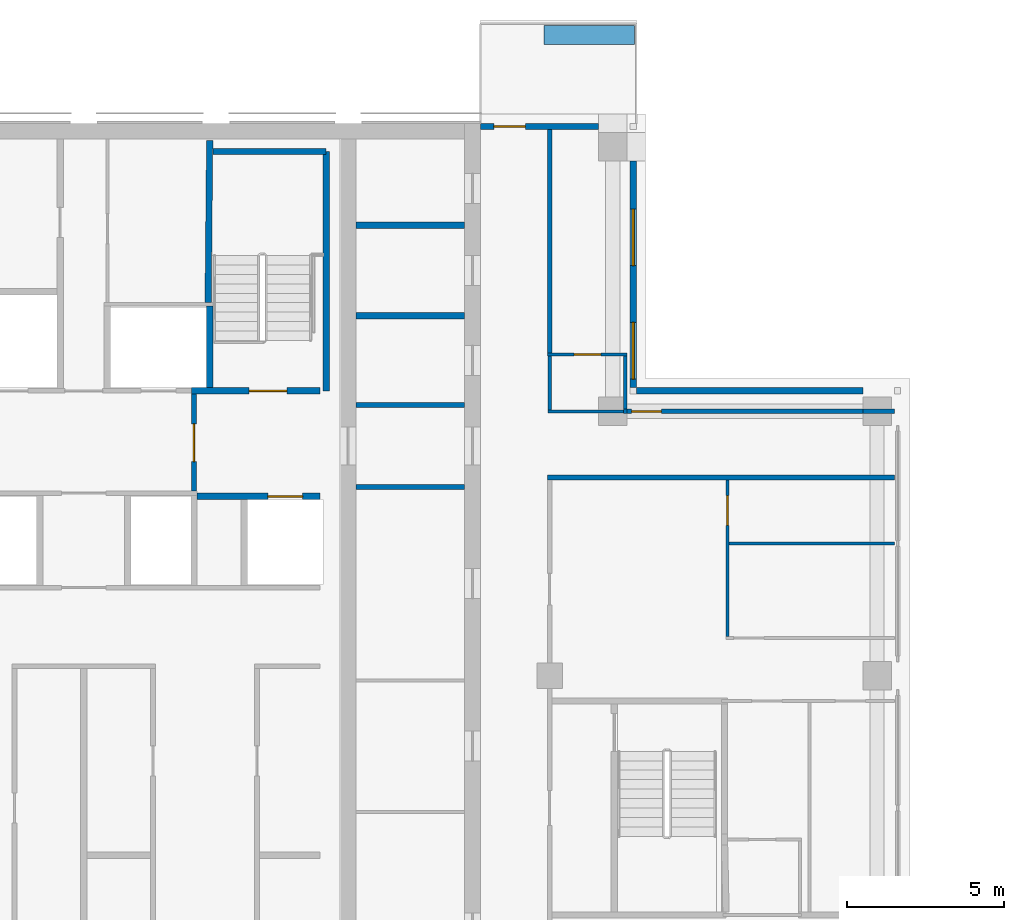
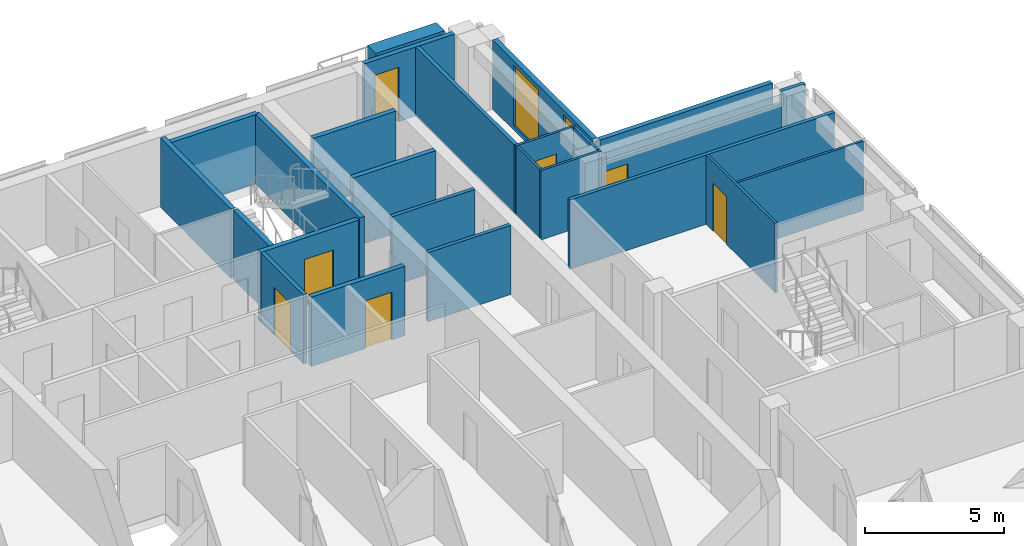
# One storey, part 15 of 19: 26 walls, 7 doors, 2 windows, 9 openings.
"""IFC4 building model written with IfcOpenShell, lengths in metres."""

from ifc_helpers import new_model, si_unit, direction, frame, frame_2d, origin, place, context, subcontext, project, spatial, rectangle, extrude, material, layer, layer_set, type_object, element, fill, save


model = new_model("IFC4")

# Units and contexts
model_context = context("Model", 3, precision=1e-05, world=origin(), true_north=direction((0.0, 1.0)))
body_context = subcontext(model_context, "Body", "Model", "MODEL_VIEW")
ifc_project = project(units=[si_unit("LENGTHUNIT", "METRE"), si_unit("AREAUNIT", "SQUARE_METRE"), si_unit("VOLUMEUNIT", "CUBIC_METRE"), si_unit("PLANEANGLEUNIT", "RADIAN"), si_unit("MASSUNIT", "GRAM", prefix="KILO")], contexts=[model_context])

# Site, building, storey
site_placement = place(None, origin())
site = spatial("IfcSite", under=ifc_project, at=site_placement, CompositionType="ELEMENT")
building_placement = place(site_placement, origin())
building = spatial("IfcBuilding", under=site, at=building_placement, Name="Vermilion Ogive Tower", CompositionType="ELEMENT")
storey_placement = place(building_placement, frame((0.0, 0.0, 226.89990234375)))
storey = spatial("IfcBuildingStorey", under=building, at=storey_placement, Name="L59", CompositionType="ELEMENT", Elevation=226.89990234375)

# Wall
ifc_material_1 = material(Name="Gypsum board partition on steel studs", Category="steel")
ifc_layer_1 = layer(ifc_material_1, 0.10009765625)
ifc_layer_set_1 = layer_set([ifc_layer_1], Name="Partition 100 bath")
wall_type_1 = type_object("IfcWallType", Name="Partition 100 bath", PredefinedType="PARTITIONING", material=ifc_layer_set_1)
wall_1_placement = place(storey_placement, frame((14.75, 12.60009765625, 0.0), z_axis=(0.0, 0.0, 1.0), x_axis=(1.0, 0.0, 0.0)))
element("IfcWall", 1, at=wall_1_placement, inside=storey, type_object=wall_type_1, Name="L59-W-W035", PredefinedType="PARTITIONING", context=body_context, shape_type="SweptSolid", body=[
    extrude(rectangle(XDim=2.5, YDim=0.10009765625, at=frame_2d((1.25, 0.0))), origin(), (0.0, 0.0, 1.0), 3.050048828125),
])

# Wall, opening, door
wall_2_placement = place(storey_placement, frame((14.72509765625, 14.39990234375, 0.0), z_axis=(0.0, 0.0, 1.0), x_axis=(1.0, 0.0, 0.0)))
wall_2 = element("IfcWall", 2, at=wall_2_placement, inside=storey, type_object=wall_type_1, Name="L59-W-W038", PredefinedType="PARTITIONING", context=body_context, shape_type="SweptSolid", body=[
    extrude(rectangle(XDim=2.52490234375, YDim=0.10009765625, at=frame_2d((1.262451171875, 0.0))), origin(), (0.0, 0.0, 1.0), 3.050048828125),
])
opening_1_placement = place(wall_2_placement, frame((0.849853515625, 0.0, 0.0)))
opening_1 = element("IfcOpeningElement", 3, at=opening_1_placement, cuts=wall_2, Name="Opening D5G1022", PredefinedType="OPENING", context=body_context, shape_type="SweptSolid", body=[
    extrude(rectangle(XDim=0.85009765625, YDim=2.10009765625, at=frame_2d((0.425048828125, 1.050048828125))), frame((0.0, 0.06005859375, 0.0), z_axis=(0.0, -1.0, 0.0), x_axis=(1.0, 0.0, 0.0)), (0.0, 0.0, 1.0), 0.1201171875),
])
ifc_material_2 = material(Name="Timber door leaf", Category="wood")
door_type_1 = type_object("IfcDoorType", Name="Bath door 850 x 2100 FD30", OperationType="SINGLE_SWING_LEFT", PredefinedType="DOOR", material=ifc_material_2)
door_1_placement = place(opening_1_placement, origin())
door_1 = element("IfcDoor", 4, at=door_1_placement, inside=storey, type_object=door_type_1, Name="L59-D-D022", OperationType="SINGLE_SWING_RIGHT", OverallHeight=2.10009765625, OverallWidth=0.85009765625, PredefinedType="DOOR", context=body_context, shape_type="SweptSolid", body=[
    extrude(rectangle(XDim=0.85009765625, YDim=2.10009765625, at=frame_2d((0.425048828125, 1.050048828125))), frame((0.0, 0.02490234375, 0.0), z_axis=(0.0, -1.0, 0.0), x_axis=(1.0, 0.0, 0.0)), (0.0, 0.0, 1.0), 0.050048828125),
])
fill(opening_1, door_1)

# Walls
wall_3_placement = place(storey_placement, frame((14.800048828125, 12.64990234375, 0.0), z_axis=(0.0, 0.0, 1.0), x_axis=(0.0, 1.0, 0.0)))
element("IfcWall", 5, at=wall_3_placement, inside=storey, type_object=wall_type_1, Name="L59-W-W058", PredefinedType="PARTITIONING", context=body_context, shape_type="SweptSolid", body=[
    extrude(rectangle(XDim=1.7001953125, YDim=0.10009765625, at=frame_2d((0.85009765625, 0.0))), origin(), (0.0, 0.0, 1.0), 3.050048828125),
])
wall_4_placement = place(storey_placement, frame((17.199951171875, 12.675048828125, 0.0), z_axis=(0.0, 0.0, 1.0), x_axis=(0.0, 1.0, 0.0)))
element("IfcWall", 6, at=wall_4_placement, inside=storey, type_object=wall_type_1, Name="L59-W-W062", PredefinedType="PARTITIONING", context=body_context, shape_type="SweptSolid", body=[
    extrude(rectangle(XDim=1.675048828125, YDim=0.10009765625, at=frame_2d((0.83740234375, 0.0))), origin(), (0.0, 0.0, 1.0), 3.050048828125),
])
ifc_material_3 = material(Name="Gypsum board partition on steel studs", Category="steel")
ifc_layer_2 = layer(ifc_material_3, 0.10009765625)
ifc_layer_set_2 = layer_set([ifc_layer_2], Name="Partition 100 inner")
wall_type_2 = type_object("IfcWallType", Name="Partition 100 inner", PredefinedType="PARTITIONING", material=ifc_layer_set_2)
wall_5_placement = place(storey_placement, frame((20.5, 8.39990234375, 0.0), z_axis=(0.0, 0.0, 1.0), x_axis=(1.0, 0.0, 0.0)))
element("IfcWall", 7, at=wall_5_placement, inside=storey, type_object=wall_type_2, Name="L59-W-W030", PredefinedType="PARTITIONING", context=body_context, shape_type="SweptSolid", body=[
    extrude(rectangle(XDim=5.25, YDim=0.10009765625, at=frame_2d((2.625, 0.0))), origin(), (0.0, 0.0, 1.0), 3.050048828125),
])

# Wall, opening, door
wall_6_placement = place(storey_placement, frame((20.449951171875, 5.449951171875, 0.0), z_axis=(0.0, 0.0, 1.0), x_axis=(0.0, 1.0, 0.0)))
wall_6 = element("IfcWall", 8, at=wall_6_placement, inside=storey, type_object=wall_type_2, Name="L59-W-W065", PredefinedType="PARTITIONING", context=body_context, shape_type="SweptSolid", body=[
    extrude(rectangle(XDim=4.97509765625, YDim=0.10009765625, at=frame_2d((2.487548828125, 0.0))), origin(), (0.0, 0.0, 1.0), 3.050048828125),
])
opening_2_placement = place(wall_6_placement, frame((3.525146484375, 0.0, 0.0)))
opening_2 = element("IfcOpeningElement", 9, at=opening_2_placement, cuts=wall_6, Name="Opening D5G1017", PredefinedType="OPENING", context=body_context, shape_type="SweptSolid", body=[
    extrude(rectangle(XDim=0.949951171875, YDim=2.10009765625, at=frame_2d((0.47509765625, 1.050048828125))), frame((0.0, 0.06005859375, 0.0), z_axis=(0.0, -1.0, 0.0), x_axis=(1.0, 0.0, 0.0)), (0.0, 0.0, 1.0), 0.1201171875),
])
ifc_material_4 = material(Name="Timber door leaf", Category="wood")
door_type_2 = type_object("IfcDoorType", Name="Inner door 950 x 2100 FD30", OperationType="SINGLE_SWING_LEFT", PredefinedType="DOOR", material=ifc_material_4)
door_2_placement = place(opening_2_placement, origin())
door_2 = element("IfcDoor", 10, at=door_2_placement, inside=storey, type_object=door_type_2, Name="L59-D-D017", OperationType="SINGLE_SWING_RIGHT", OverallHeight=2.10009765625, OverallWidth=0.949951171875, PredefinedType="DOOR", context=body_context, shape_type="SweptSolid", body=[
    extrude(rectangle(XDim=0.949951171875, YDim=2.10009765625, at=frame_2d((0.47509765625, 1.050048828125))), frame((0.0, 0.02490234375, 0.0), z_axis=(0.0, -1.0, 0.0), x_axis=(1.0, 0.0, 0.0)), (0.0, 0.0, 1.0), 0.050048828125),
])
fill(opening_2, door_2)

# Walls
ifc_material_5 = material(Name="Gypsum board partition on steel studs", Category="steel")
ifc_layer_3 = layer(ifc_material_5, 0.14990234375)
ifc_layer_set_3 = layer_set([ifc_layer_3], Name="Partition 150 corridor")
wall_type_3 = type_object("IfcWallType", Name="Partition 150 corridor", PredefinedType="PARTITIONING", material=ifc_layer_set_3)
wall_7_placement = place(storey_placement, frame((14.72509765625, 10.5, 0.0), z_axis=(0.0, 0.0, 1.0), x_axis=(1.0, 0.0, 0.0)))
element("IfcWall", 11, at=wall_7_placement, inside=storey, type_object=wall_type_3, Name="L59-W-W032", PredefinedType="PARTITIONING", context=body_context, shape_type="SweptSolid", body=[
    extrude(rectangle(XDim=11.02490234375, YDim=0.14990234375, at=frame_2d((5.512451171875, 0.0))), origin(), (0.0, 0.0, 1.0), 3.050048828125),
])
wall_8_placement = place(storey_placement, frame((17.14990234375, 12.60009765625, 0.0), z_axis=(0.0, 0.0, 1.0), x_axis=(1.0, 0.0, 0.0)))
element("IfcWall", 12, at=wall_8_placement, inside=storey, type_object=wall_type_3, Name="L59-W-W036", PredefinedType="PARTITIONING", context=body_context, shape_type="SweptSolid", body=[
    extrude(rectangle(XDim=0.10009765625, YDim=0.14990234375, at=frame_2d((0.050048828125, 0.0))), origin(), (0.0, 0.0, 1.0), 3.050048828125),
])
wall_9_placement = place(storey_placement, frame((14.800048828125, 14.449951171875, 0.0), z_axis=(0.0, 0.0, 1.0), x_axis=(0.0, 1.0, 0.0)))
element("IfcWall", 13, at=wall_9_placement, inside=storey, type_object=wall_type_3, Name="L59-W-W059", PredefinedType="PARTITIONING", context=body_context, shape_type="SweptSolid", body=[
    extrude(rectangle(XDim=7.10009765625, YDim=0.14990234375, at=frame_2d((3.550048828125, 0.0))), origin(), (0.0, 0.0, 1.0), 3.050048828125),
])

# Wall, opening, door
wall_10_placement = place(storey_placement, frame((3.5, 10.074951171875, 0.0), z_axis=(0.0, 0.0, 1.0), x_axis=(0.0, 1.0, 0.0)))
wall_10 = element("IfcWall", 14, at=wall_10_placement, inside=storey, type_object=wall_type_3, Name="L59-CK-W-W033", PredefinedType="PARTITIONING", context=body_context, shape_type="SweptSolid", body=[
    extrude(rectangle(XDim=3.074951171875, YDim=0.14990234375, at=frame_2d((1.53759765625, 0.0))), origin(), (0.0, 0.0, 1.0), 3.050048828125),
])
opening_3_placement = place(wall_10_placement, frame((0.925048828125, 0.0, 0.0)))
opening_3 = element("IfcOpeningElement", 15, at=opening_3_placement, cuts=wall_10, Name="Opening DAA539", PredefinedType="OPENING", context=body_context, shape_type="SweptSolid", body=[
    extrude(rectangle(XDim=1.199951171875, YDim=2.10009765625, at=frame_2d((0.60009765625, 1.050048828125))), frame((0.0, 0.0849609375, 0.0), z_axis=(0.0, -1.0, 0.0), x_axis=(1.0, 0.0, 0.0)), (0.0, 0.0, 1.0), 0.169921875),
])
ifc_material_6 = material(Name="Timber door leaf", Category="wood")
door_type_3 = type_object("IfcDoorType", Name="Lobby door 1200 x 2100 FD60S", OperationType="SINGLE_SWING_LEFT", PredefinedType="DOOR", material=ifc_material_6)
door_3_placement = place(opening_3_placement, origin())
door_3 = element("IfcDoor", 16, at=door_3_placement, inside=storey, type_object=door_type_3, Name="L59-CK-D-D023", OperationType="SINGLE_SWING_LEFT", OverallHeight=2.10009765625, OverallWidth=1.199951171875, PredefinedType="DOOR", context=body_context, shape_type="SweptSolid", body=[
    extrude(rectangle(XDim=1.199951171875, YDim=2.10009765625, at=frame_2d((0.60009765625, 1.050048828125))), frame((0.0, 0.02490234375, 0.0), z_axis=(0.0, -1.0, 0.0), x_axis=(1.0, 0.0, 0.0)), (0.0, 0.0, 1.0), 0.050048828125),
])
fill(opening_3, door_3)

# Walls
for number, where, z_axis, x_axis, name in (
    (17, (8.65087890625, 10.199951171875, 0.0), (0.0, 0.0, 1.0), (1.0, 0.0, 0.0), "L59-CKE-W-W003"),
    (18, (8.65087890625, 12.800048828125, 0.0), (0.0, 0.0, 1.0), (1.0, 0.0, 0.0), "L59-CKE-W-W004"),
):
    element("IfcWall", number, at=place(storey_placement, frame(where, z_axis=z_axis, x_axis=x_axis)), inside=storey, type_object=wall_type_3, Name=name, PredefinedType="PARTITIONING", context=body_context, shape_type="SweptSolid", body=[
        extrude(rectangle(XDim=3.4482421875, YDim=0.14990234375, at=frame_2d((1.72412109375, 0.0))), origin(), (0.0, 0.0, 1.0), 3.050048828125),
    ])

# Wall, opening, door
wall_11_placement = place(storey_placement, frame((17.25, 12.60009765625, 0.0), z_axis=(0.0, 0.0, 1.0), x_axis=(1.0, 0.0, 0.0)))
wall_11 = element("IfcWall", 19, at=wall_11_placement, inside=storey, type_object=wall_type_3, Name="L59-W-W036-h1", PredefinedType="PARTITIONING", context=body_context, shape_type="SweptSolid", body=[
    extrude(rectangle(XDim=7.5, YDim=0.14990234375, at=frame_2d((3.75, 0.0))), origin(), (0.0, 0.0, 1.0), 2.5),
])
opening_4_placement = place(wall_11_placement, frame((0.14990234375, 0.0, 0.0)))
opening_4 = element("IfcOpeningElement", 20, at=opening_4_placement, cuts=wall_11, Name="Opening D5G1021", PredefinedType="OPENING", context=body_context, shape_type="SweptSolid", body=[
    extrude(rectangle(XDim=0.949951171875, YDim=2.10009765625, at=frame_2d((0.47509765625, 1.050048828125))), frame((0.0, 0.0849609375, 0.0), z_axis=(0.0, -1.0, 0.0), x_axis=(1.0, 0.0, 0.0)), (0.0, 0.0, 1.0), 0.169921875),
])
ifc_material_7 = material(Name="Timber door leaf", Category="wood")
door_type_4 = type_object("IfcDoorType", Name="Unit door 950 x 2100 FD30S", OperationType="SINGLE_SWING_LEFT", PredefinedType="DOOR", material=ifc_material_7)
door_4_placement = place(opening_4_placement, origin())
door_4 = element("IfcDoor", 21, at=door_4_placement, inside=storey, type_object=door_type_4, Name="L59-D-D021", OperationType="SINGLE_SWING_LEFT", OverallHeight=2.10009765625, OverallWidth=0.949951171875, PredefinedType="DOOR", context=body_context, shape_type="SweptSolid", body=[
    extrude(rectangle(XDim=0.949951171875, YDim=2.10009765625, at=frame_2d((0.47509765625, 1.050048828125))), frame((0.0, 0.02490234375, 0.0), z_axis=(0.0, -1.0, 0.0), x_axis=(1.0, 0.0, 0.0)), (0.0, 0.0, 1.0), 0.050048828125),
])
fill(opening_4, door_4)

# Wall
wall_12_placement = place(storey_placement, frame((24.75, 12.60009765625, 0.0), z_axis=(0.0, 0.0, 1.0), x_axis=(1.0, 0.0, 0.0)))
element("IfcWall", 22, at=wall_12_placement, inside=storey, type_object=wall_type_3, Name="L59-W-W036-h2", PredefinedType="PARTITIONING", context=body_context, shape_type="SweptSolid", body=[
    extrude(rectangle(XDim=1.0, YDim=0.14990234375, at=frame_2d((0.5, 0.0))), origin(), (0.0, 0.0, 1.0), 3.050048828125),
])

# Wall, opening, door
ifc_material_8 = material(Name="Gypsum board partition on steel studs", Category="steel")
ifc_layer_4 = layer(ifc_material_8, 0.199951171875)
ifc_layer_set_4 = layer_set([ifc_layer_4], Name="Partition 200 party")
wall_type_4 = type_object("IfcWallType", Name="Partition 200 party", PredefinedType="PARTITIONING", material=ifc_layer_set_4)
wall_13_placement = place(storey_placement, frame((3.60009765625, 9.89990234375, 0.0), z_axis=(0.0, 0.0, 1.0), x_axis=(1.0, 0.0, 0.0)))
wall_13 = element("IfcWall", 23, at=wall_13_placement, inside=storey, type_object=wall_type_4, Name="L59-CK-W-W012", PredefinedType="PARTITIONING", context=body_context, shape_type="SweptSolid", body=[
    extrude(rectangle(XDim=3.89990234375, YDim=0.199951171875, at=frame_2d((1.949951171875, 0.0))), origin(), (0.0, 0.0, 1.0), 3.050048828125),
])
opening_5_placement = place(wall_13_placement, frame((2.25, 0.0, 0.0)))
opening_5 = element("IfcOpeningElement", 24, at=opening_5_placement, cuts=wall_13, Name="Opening DAA558", PredefinedType="OPENING", context=body_context, shape_type="SweptSolid", body=[
    extrude(rectangle(XDim=1.10009765625, YDim=2.10009765625, at=frame_2d((0.550048828125, 1.050048828125))), frame((0.0, 0.10986328125, 0.0), z_axis=(0.0, -1.0, 0.0), x_axis=(1.0, 0.0, 0.0)), (0.0, 0.0, 1.0), 0.219970703125),
])
ifc_material_9 = material(Name="Stainless steel", Category="steel")
door_type_5 = type_object("IfcDoorType", Name="Lift landing door 1100 x 2100", OperationType="SLIDING_TO_LEFT", PredefinedType="DOOR", material=ifc_material_9)
door_5_placement = place(opening_5_placement, origin())
door_5 = element("IfcDoor", 25, at=door_5_placement, inside=storey, type_object=door_type_5, Name="L59-CK-D-D014", OperationType="SLIDING_TO_LEFT", OverallHeight=2.10009765625, OverallWidth=1.10009765625, PredefinedType="DOOR", context=body_context, shape_type="SweptSolid", body=[
    extrude(rectangle(XDim=1.10009765625, YDim=2.10009765625, at=frame_2d((0.550048828125, 1.050048828125))), frame((0.0, 0.02490234375, 0.0), z_axis=(0.0, -1.0, 0.0), x_axis=(1.0, 0.0, 0.0)), (0.0, 0.0, 1.0), 0.050048828125),
])
fill(opening_5, door_5)

# Walls
for number, where, z_axis, x_axis, name in (
    (26, (8.65087890625, 15.636962890625, 0.0), (0.0, 0.0, 1.0), (1.0, 0.0, 0.0), "L59-CKE-W-W005"),
    (27, (8.65087890625, 18.509033203125, 0.0), (0.0, 0.0, 1.0), (1.0, 0.0, 0.0), "L59-CKE-W-W006"),
):
    element("IfcWall", number, at=place(storey_placement, frame(where, z_axis=z_axis, x_axis=x_axis)), inside=storey, type_object=wall_type_4, Name=name, PredefinedType="PARTITIONING", context=body_context, shape_type="SweptSolid", body=[
        extrude(rectangle(XDim=3.4482421875, YDim=0.199951171875, at=frame_2d((1.72412109375, 0.0))), origin(), (0.0, 0.0, 1.0), 3.050048828125),
    ])

# Wall, opening, door
ifc_material_10 = material(Name="Concrete B60", Category="concrete")
ifc_layer_5 = layer(ifc_material_10, 0.199951171875)
ifc_layer_set_5 = layer_set([ifc_layer_5], Name="Stair shaft wall 200 Concrete B60")
wall_type_5 = type_object("IfcWallType", Name="Stair shaft wall 200 Concrete B60", PredefinedType="SOLIDWALL", material=ifc_layer_set_5)
wall_14_placement = place(storey_placement, frame((3.425048828125, 13.25, 0.0), z_axis=(0.0, 0.0, 1.0), x_axis=(1.0, 0.0, 0.0)))
wall_14 = element("IfcWall", 28, at=wall_14_placement, inside=storey, type_object=wall_type_5, Name="L59-CK-W-W016", PredefinedType="SOLIDWALL", context=body_context, shape_type="SweptSolid", body=[
    extrude(rectangle(XDim=4.074951171875, YDim=0.199951171875, at=frame_2d((2.03759765625, 0.0))), origin(), (0.0, 0.0, 1.0), 3.050048828125),
])
opening_6_placement = place(wall_14_placement, frame((1.824951171875, 0.0, 0.0)))
opening_6 = element("IfcOpeningElement", 29, at=opening_6_placement, cuts=wall_14, Name="Opening DAA551", PredefinedType="OPENING", context=body_context, shape_type="SweptSolid", body=[
    extrude(rectangle(XDim=1.199951171875, YDim=2.10009765625, at=frame_2d((0.60009765625, 1.050048828125))), frame((0.0, 0.10986328125, 0.0), z_axis=(0.0, -1.0, 0.0), x_axis=(1.0, 0.0, 0.0)), (0.0, 0.0, 1.0), 0.219970703125),
])
ifc_material_11 = material(Name="Timber door leaf", Category="wood")
door_type_6 = type_object("IfcDoorType", Name="Stair door 1200 x 2100 FD60S", OperationType="SINGLE_SWING_LEFT", PredefinedType="DOOR", material=ifc_material_11)
door_6_placement = place(opening_6_placement, origin())
door_6 = element("IfcDoor", 30, at=door_6_placement, inside=storey, type_object=door_type_6, Name="L59-CK-D-D013", OperationType="SINGLE_SWING_RIGHT", OverallHeight=2.10009765625, OverallWidth=1.199951171875, PredefinedType="DOOR", context=body_context, shape_type="SweptSolid", body=[
    extrude(rectangle(XDim=1.199951171875, YDim=2.10009765625, at=frame_2d((0.60009765625, 1.050048828125))), frame((0.0, 0.02490234375, 0.0), z_axis=(0.0, -1.0, 0.0), x_axis=(1.0, 0.0, 0.0)), (0.0, 0.0, 1.0), 0.050048828125),
])
fill(opening_6, door_6)

# Walls
wall_15_placement = place(storey_placement, frame((4.0, 13.35009765625, 0.0), z_axis=(0.0, 0.0, 1.0), x_axis=(0.0, 1.0, 0.0)))
element("IfcWall", 31, at=wall_15_placement, inside=storey, type_object=wall_type_5, Name="L59-CK-W-W034", PredefinedType="SOLIDWALL", context=body_context, shape_type="SweptSolid", body=[
    extrude(rectangle(XDim=2.599853515625, YDim=0.199951171875, at=frame_2d((1.2998046875, 0.0))), origin(), (0.0, 0.0, 1.0), 3.050048828125),
])
wall_16_placement = place(storey_placement, frame((3.949951171875, 16.050048828125, 0.0), z_axis=(0.0, 0.0, 1.0), x_axis=(0.009719787395, 0.999952761751, 0.0)))
element("IfcWall", 32, at=wall_16_placement, inside=storey, type_object=wall_type_5, Name="L59-CK-W-W035", PredefinedType="SOLIDWALL", context=body_context, shape_type="SweptSolid", body=[
    extrude(rectangle(XDim=5.149169921875, YDim=0.199951171875, at=frame_2d((2.57470703125, 0.0))), origin(), (0.0, 0.0, 1.0), 3.050048828125),
])
wall_17_placement = place(storey_placement, frame((7.699951171875, 13.25, 0.0), z_axis=(0.0, 0.0, 1.0), x_axis=(0.0, 1.0, 0.0)))
element("IfcWall", 33, at=wall_17_placement, inside=storey, type_object=wall_type_5, Name="L59-SW-R019-E1", PredefinedType="SOLIDWALL", context=body_context, shape_type="SweptSolid", body=[
    extrude(rectangle(XDim=7.60009765625, YDim=0.199951171875, at=frame_2d((3.800048828125, 0.0))), origin(), (0.0, 0.0, 1.0), 3.050048828125),
])
wall_18_placement = place(storey_placement, frame((4.10009765625, 20.85009765625, 0.0), z_axis=(0.0, 0.0, 1.0), x_axis=(1.0, 0.0, 0.0)))
element("IfcWall", 34, at=wall_18_placement, inside=storey, type_object=wall_type_5, Name="L59-SW-R019-N1", PredefinedType="SOLIDWALL", context=body_context, shape_type="SweptSolid", body=[
    extrude(rectangle(XDim=3.599853515625, YDim=0.199951171875, at=frame_2d((1.7998046875, 0.0))), origin(), (0.0, 0.0, 1.0), 3.050048828125),
])
ifc_material_12 = material(Name="Concrete B40", Category="concrete")
ifc_layer_6 = layer(ifc_material_12, 0.60009765625)
ifc_layer_set_6 = layer_set([ifc_layer_6], Name="Structural planter")
wall_type_6 = type_object("IfcWallType", Name="Structural planter", PredefinedType="USERDEFINED", material=ifc_layer_set_6)
wall_19_placement = place(storey_placement, frame((17.489990234375, 24.550048828125, -0.039794921875), z_axis=(0.0, 0.0, 1.0), x_axis=(-1.0, 0.0, 0.0)))
element("IfcWall", 35, at=wall_19_placement, inside=storey, type_object=wall_type_6, Name="Planter N101A1", ObjectType="PLANTER", PredefinedType="USERDEFINED", context=body_context, shape_type="SweptSolid", body=[
    extrude(rectangle(XDim=2.864990234375, YDim=0.60009765625, at=frame_2d((1.4326171875, 0.0))), origin(), (0.0, 0.0, 1.0), 1.199951171875),
])
ifc_material_13 = material(Name="Aluminium window wall framing", Category="aluminium")
ifc_layer_7 = layer(ifc_material_13, 0.199951171875)
ifc_layer_set_7 = layer_set([ifc_layer_7], Name="Window wall")
wall_type_7 = type_object("IfcWallType", Name="Window wall", PredefinedType="STANDARD", material=ifc_layer_set_7)
wall_20_placement = place(storey_placement, frame((24.75, 13.25, 0.0), z_axis=(0.0, 0.0, 1.0), x_axis=(-1.0, 0.0, 0.0)))
element("IfcWall", 36, at=wall_20_placement, inside=storey, type_object=wall_type_7, Name="Window wall X31", PredefinedType="STANDARD", context=body_context, shape_type="SweptSolid", body=[
    extrude(rectangle(XDim=7.199951171875, YDim=0.199951171875, at=frame_2d((3.60009765625, 0.0))), origin(), (0.0, 0.0, 1.0), 3.050048828125),
])

# Wall, openings, windows
wall_21_placement = place(storey_placement, frame((17.449951171875, 13.35009765625, 0.0), z_axis=(0.0, 0.0, 1.0), x_axis=(0.0, 1.0, 0.0)))
wall_21 = element("IfcWall", 37, at=wall_21_placement, inside=storey, type_object=wall_type_7, Name="Window wall X41", PredefinedType="STANDARD", context=body_context, shape_type="SweptSolid", body=[
    extrude(rectangle(XDim=7.199951171875, YDim=0.199951171875, at=frame_2d((3.60009765625, 0.0))), origin(), (0.0, 0.0, 1.0), 3.050048828125),
])
opening_7_placement = place(wall_21_placement, frame((0.27490234375, 0.0, 0.199951171875)))
opening_7 = element("IfcOpeningElement", 38, at=opening_7_placement, cuts=wall_21, Name="Opening W1-X403", PredefinedType="OPENING", context=body_context, shape_type="SweptSolid", body=[
    extrude(rectangle(XDim=1.800048828125, YDim=2.64990234375, at=frame_2d((0.89990234375, 1.324951171875))), frame((0.0, 0.10986328125, 0.0), z_axis=(0.0, -1.0, 0.0), x_axis=(1.0, 0.0, 0.0)), (0.0, 0.0, 1.0), 0.219970703125),
])
opening_8_placement = place(wall_21_placement, frame((3.875, 0.0, 0.199951171875)))
opening_8 = element("IfcOpeningElement", 39, at=opening_8_placement, cuts=wall_21, Name="Opening W1-X404", PredefinedType="OPENING", context=body_context, shape_type="SweptSolid", body=[
    extrude(rectangle(XDim=1.800048828125, YDim=2.64990234375, at=frame_2d((0.89990234375, 1.324951171875))), frame((0.0, 0.10986328125, 0.0), z_axis=(0.0, -1.0, 0.0), x_axis=(1.0, 0.0, 0.0)), (0.0, 0.0, 1.0), 0.219970703125),
])
ifc_material_14 = material(Name="Aluminium framed double glazing", Category="aluminium")
window_type = type_object("IfcWindowType", Name="Guest window W1", PartitioningType="SINGLE_PANEL", PredefinedType="WINDOW", material=ifc_material_14)
window_1_placement = place(opening_7_placement, origin())
window_1 = element("IfcWindow", 40, at=window_1_placement, inside=storey, type_object=window_type, Name="Window X403", OverallHeight=2.64990234375, OverallWidth=1.800048828125, PartitioningType="SINGLE_PANEL", PredefinedType="WINDOW", context=body_context, shape_type="SweptSolid", body=[
    extrude(rectangle(XDim=1.800048828125, YDim=2.64990234375, at=frame_2d((0.89990234375, 1.324951171875))), frame((0.0, 0.030029296875, 0.0), z_axis=(0.0, -1.0, 0.0), x_axis=(1.0, 0.0, 0.0)), (0.0, 0.0, 1.0), 0.06005859375),
])
fill(opening_7, window_1)
window_2_placement = place(opening_8_placement, origin())
window_2 = element("IfcWindow", 41, at=window_2_placement, inside=storey, type_object=window_type, Name="Window X404", OverallHeight=2.64990234375, OverallWidth=1.800048828125, PartitioningType="SINGLE_PANEL", PredefinedType="WINDOW", context=body_context, shape_type="SweptSolid", body=[
    extrude(rectangle(XDim=1.800048828125, YDim=2.64990234375, at=frame_2d((0.89990234375, 1.324951171875))), frame((0.0, 0.030029296875, 0.0), z_axis=(0.0, -1.0, 0.0), x_axis=(1.0, 0.0, 0.0)), (0.0, 0.0, 1.0), 0.06005859375),
])
fill(opening_8, window_2)

# Wall, opening, door
wall_22_placement = place(storey_placement, frame((16.35009765625, 21.64990234375, 0.0), z_axis=(0.0, 0.0, 1.0), x_axis=(-1.0, 0.0, 0.0)))
wall_22 = element("IfcWall", 42, at=wall_22_placement, inside=storey, type_object=wall_type_7, Name="Window wall N11", PredefinedType="STANDARD", context=body_context, shape_type="SweptSolid", body=[
    extrude(rectangle(XDim=3.75, YDim=0.199951171875, at=frame_2d((1.875, 0.0))), origin(), (0.0, 0.0, 1.0), 3.050048828125),
])
opening_9_placement = place(wall_22_placement, frame((2.324951171875, 0.0, 0.0)))
opening_9 = element("IfcOpeningElement", 43, at=opening_9_placement, cuts=wall_22, Name="Opening D1-N103", PredefinedType="OPENING", context=body_context, shape_type="SweptSolid", body=[
    extrude(rectangle(XDim=1.0, YDim=2.39990234375, at=frame_2d((0.5, 1.199951171875))), frame((0.0, 0.10986328125, 0.0), z_axis=(0.0, -1.0, 0.0), x_axis=(1.0, 0.0, 0.0)), (0.0, 0.0, 1.0), 0.219970703125),
])
ifc_material_15 = material(Name="Aluminium framed glazed door", Category="aluminium")
door_type_7 = type_object("IfcDoorType", Name="Balcony door D1", OperationType="SINGLE_SWING_LEFT", PredefinedType="DOOR", material=ifc_material_15)
door_7_placement = place(opening_9_placement, origin())
door_7 = element("IfcDoor", 44, at=door_7_placement, inside=storey, type_object=door_type_7, Name="Balcony door N103", OperationType="SINGLE_SWING_LEFT", OverallHeight=2.39990234375, OverallWidth=1.0, PredefinedType="DOOR", context=body_context, shape_type="SweptSolid", body=[
    extrude(rectangle(XDim=1.0, YDim=2.39990234375, at=frame_2d((0.5, 1.199951171875))), frame((0.0, 0.02490234375, 0.0), z_axis=(0.0, -1.0, 0.0), x_axis=(1.0, 0.0, 0.0)), (0.0, 0.0, 1.0), 0.050048828125),
])
fill(opening_9, door_7)

save(model, "model.ifc")
